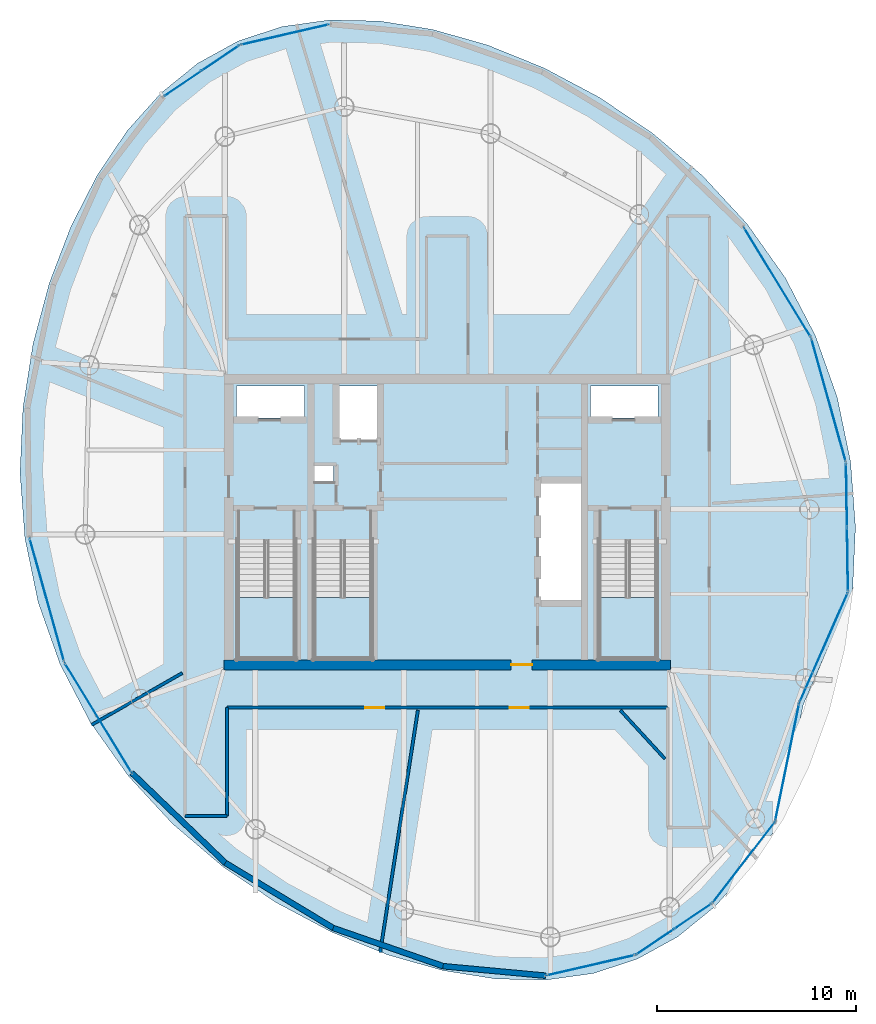
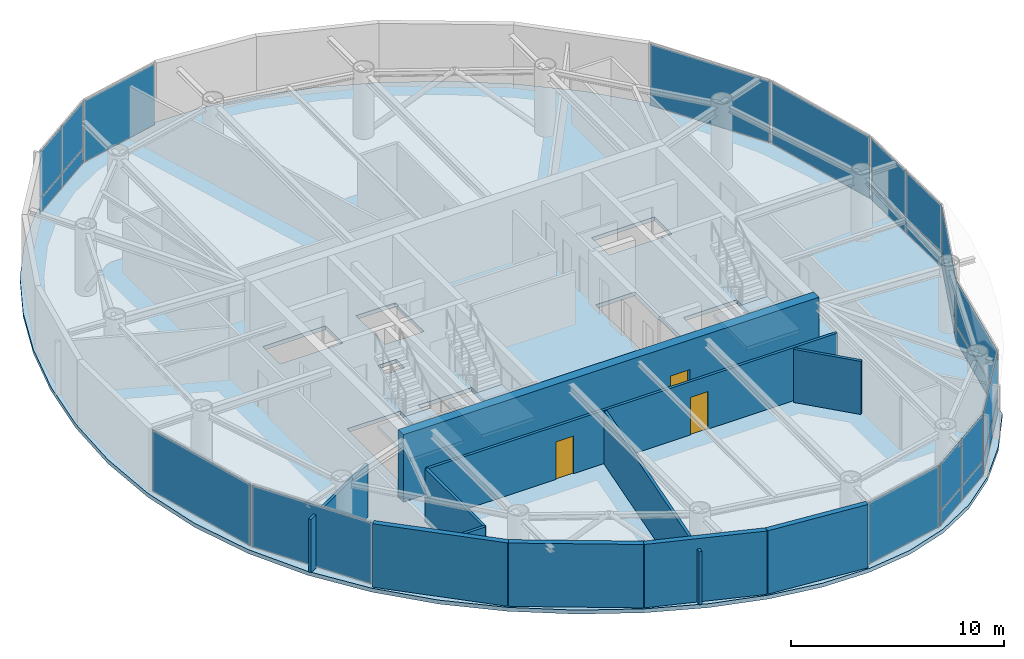
# One storey, part 14 of 19: 24 plates, 11 walls, 4 slabs, 3 doors, 3 openings, 15 elements without a shape of their own.
"""IFC4 building model written with IfcOpenShell, lengths in metres."""

from ifc_helpers import new_model, si_unit, direction, frame, frame_2d, origin, origin_2d, place, context, subcontext, project, spatial, polyline, rectangle, outline, extrude, material, layer, layer_set, type_object, element, fill, aggregate, save


model = new_model("IFC4")

# Units and contexts
model_context = context("Model", 3, precision=1e-05, world=origin(), true_north=direction((0.0, 1.0)))
body_context = subcontext(model_context, "Body", "Model", "MODEL_VIEW")
ifc_project = project(units=[si_unit("LENGTHUNIT", "METRE"), si_unit("AREAUNIT", "SQUARE_METRE"), si_unit("VOLUMEUNIT", "CUBIC_METRE"), si_unit("PLANEANGLEUNIT", "RADIAN"), si_unit("MASSUNIT", "GRAM", prefix="KILO")], contexts=[model_context])

# Site, building, storey
site_placement = place(None, origin())
site = spatial("IfcSite", under=ifc_project, at=site_placement, CompositionType="ELEMENT")
building_placement = place(site_placement, origin())
building = spatial("IfcBuilding", under=site, at=building_placement, Name="Bramvorn Convention Spire", CompositionType="ELEMENT")
storey_placement = place(building_placement, frame((0.0, 0.0, 299.800048828125)))
storey = spatial("IfcBuildingStorey", under=building, at=storey_placement, Name="L76", CompositionType="ELEMENT", Elevation=299.800048828125)

# Curtain wall, plates
ifc_material_1 = material(Name="Anodised Bronze Unitised Curtain Wall", Category="aluminium")
ifc_layer_1 = layer(ifc_material_1, 0.179931640625)
ifc_layer_set_1 = layer_set([ifc_layer_1], Name="Anodised Bronze Unitised Curtain Wall - CW-OFF-FRIT")
curtain_wall_type_1 = type_object("IfcCurtainWallType", Name="CW-OFF-FRIT", PredefinedType="USERDEFINED", material=ifc_layer_set_1)
curtain_wall_1_placement = place(storey_placement, origin())
curtain_wall_1 = element("IfcCurtainWall", 1, at=curtain_wall_1_placement, inside=storey, type_object=curtain_wall_type_1, Name="L76 fritted glass curtain wall 01", ObjectType="UNITISED CURTAIN WALL", PredefinedType="USERDEFINED")
ifc_material_2 = material(Name="Laminated Low-E Glass (Triple IGU High-VLT Low-Iron 22%)", Category="glass")
ifc_layer_2 = layer(ifc_material_2, 0.0419921875)
ifc_layer_set_2 = layer_set([ifc_layer_2], Name="Laminated Low-E Glass (Triple IGU High-VLT Low-Iron 22%) - PNL-IGU-4")
plate_type_1 = type_object("IfcPlateType", Name="PNL-IGU-4", PredefinedType="CURTAIN_PANEL", material=ifc_layer_set_2)
plate_1_placement = place(storey_placement, frame((50.35986328125, 6.13671875, 0.059814453125), z_axis=(0.0, 0.0, 1.0), x_axis=(-0.828583846411, -0.559864992179, 0.0)))
plate_1 = element("IfcPlate", 2, at=plate_1_placement, type_object=plate_type_1, Name="CW3 panel 1.1", PredefinedType="CURTAIN_PANEL", context=body_context, shape_type="SweptSolid", body=[
    extrude(rectangle(XDim=2.2353515625, YDim=0.028076171875, at=origin_2d()), origin(), (0.0, 0.0, 1.0), 0.81005859375),
])
plate_2_placement = place(storey_placement, frame((50.35986328125, 6.13671875, 0.93017578125), z_axis=(0.0, 0.0, 1.0), x_axis=(-0.828583846411, -0.559864992179, 0.0)))
plate_2 = element("IfcPlate", 3, at=plate_2_placement, type_object=plate_type_1, Name="CW3 panel 1.2", PredefinedType="CURTAIN_PANEL", context=body_context, shape_type="SweptSolid", body=[
    extrude(rectangle(XDim=2.2353515625, YDim=0.028076171875, at=origin_2d()), origin(), (0.0, 0.0, 1.0), 2.635009765625),
])
plate_3_placement = place(storey_placement, frame((48.4580078125, 4.8515625, 0.059814453125), z_axis=(0.0, 0.0, 1.0), x_axis=(-0.828583846411, -0.559864992179, 0.0)))
plate_3 = element("IfcPlate", 4, at=plate_3_placement, type_object=plate_type_1, Name="CW3 panel 2.1", PredefinedType="CURTAIN_PANEL", context=body_context, shape_type="SweptSolid", body=[
    extrude(rectangle(XDim=2.2353515625, YDim=0.028076171875, at=origin_2d()), origin(), (0.0, 0.0, 1.0), 0.81005859375),
])
plate_4_placement = place(storey_placement, frame((48.4580078125, 4.8515625, 0.93017578125), z_axis=(0.0, 0.0, 1.0), x_axis=(-0.828583846411, -0.559864992179, 0.0)))
plate_4 = element("IfcPlate", 5, at=plate_4_placement, type_object=plate_type_1, Name="CW3 panel 2.2", PredefinedType="CURTAIN_PANEL", context=body_context, shape_type="SweptSolid", body=[
    extrude(rectangle(XDim=2.2353515625, YDim=0.028076171875, at=origin_2d()), origin(), (0.0, 0.0, 1.0), 2.635009765625),
])
aggregate(curtain_wall_1, [plate_1, plate_2, plate_3, plate_4])

curtain_wall_2_placement = place(storey_placement, origin())
curtain_wall_2 = element("IfcCurtainWall", 6, at=curtain_wall_2_placement, inside=storey, type_object=curtain_wall_type_1, Name="L76 fritted glass curtain wall 05", ObjectType="UNITISED CURTAIN WALL", PredefinedType="USERDEFINED")
plate_5_placement = place(storey_placement, frame((58.102783203125, 27.342041015625, 0.059814453125), z_axis=(0.0, 0.0, 1.0), x_axis=(0.015568039844, -0.999878810724, 0.0)))
plate_5 = element("IfcPlate", 7, at=plate_5_placement, type_object=plate_type_1, Name="CW3 panel 1.1", PredefinedType="CURTAIN_PANEL", context=body_context, shape_type="SweptSolid", body=[
    extrude(rectangle(XDim=3.173095703125, YDim=0.028076171875, at=origin_2d()), origin(), (0.0, 0.0, 1.0), 0.81005859375),
])
plate_6_placement = place(storey_placement, frame((58.102783203125, 27.342041015625, 0.93017578125), z_axis=(0.0, 0.0, 1.0), x_axis=(0.015568039844, -0.999878810724, 0.0)))
plate_6 = element("IfcPlate", 8, at=plate_6_placement, type_object=plate_type_1, Name="CW3 panel 1.2", PredefinedType="CURTAIN_PANEL", context=body_context, shape_type="SweptSolid", body=[
    extrude(rectangle(XDim=3.173095703125, YDim=0.028076171875, at=origin_2d()), origin(), (0.0, 0.0, 1.0), 2.635009765625),
])
plate_7_placement = place(storey_placement, frame((58.153076171875, 24.109130859375, 0.059814453125), z_axis=(0.0, 0.0, 1.0), x_axis=(0.015568039844, -0.999878810724, 0.0)))
plate_7 = element("IfcPlate", 9, at=plate_7_placement, type_object=plate_type_1, Name="CW3 panel 2.1", PredefinedType="CURTAIN_PANEL", context=body_context, shape_type="SweptSolid", body=[
    extrude(rectangle(XDim=3.173095703125, YDim=0.028076171875, at=origin_2d()), origin(), (0.0, 0.0, 1.0), 0.81005859375),
])
plate_8_placement = place(storey_placement, frame((58.153076171875, 24.109130859375, 0.93017578125), z_axis=(0.0, 0.0, 1.0), x_axis=(0.015568039844, -0.999878810724, 0.0)))
plate_8 = element("IfcPlate", 10, at=plate_8_placement, type_object=plate_type_1, Name="CW3 panel 2.2", PredefinedType="CURTAIN_PANEL", context=body_context, shape_type="SweptSolid", body=[
    extrude(rectangle(XDim=3.173095703125, YDim=0.028076171875, at=origin_2d()), origin(), (0.0, 0.0, 1.0), 2.635009765625),
])
aggregate(curtain_wall_2, [plate_5, plate_6, plate_7, plate_8])

# Curtain wall, plate
curtain_wall_3_placement = place(storey_placement, origin())
curtain_wall_3 = element("IfcCurtainWall", 11, at=curtain_wall_3_placement, inside=storey, type_object=curtain_wall_type_1, Name="L76 fritted glass curtain wall 06", ObjectType="UNITISED CURTAIN WALL", PredefinedType="USERDEFINED")
plate_9_placement = place(storey_placement, frame((57.198486328125, 32.13134765625, 0.06005859375), z_axis=(0.0, 0.0, 1.0), x_axis=(0.269238917952, -0.963073416236, 0.0)))
plate_9 = element("IfcPlate", 12, at=plate_9_placement, type_object=plate_type_1, Name="CW3 panel 1.1", PredefinedType="CURTAIN_PANEL", context=body_context, shape_type="SweptSolid", body=[
    extrude(rectangle(XDim=6.406982421875, YDim=0.028076171875, at=origin_2d()), origin(), (0.0, 0.0, 1.0), 3.5048828125),
])
aggregate(curtain_wall_3, [plate_9])

curtain_wall_4_placement = place(storey_placement, origin())
curtain_wall_4 = element("IfcCurtainWall", 13, at=curtain_wall_4_placement, inside=storey, type_object=curtain_wall_type_1, Name="L76 fritted glass curtain wall 07", ObjectType="UNITISED CURTAIN WALL", PredefinedType="USERDEFINED")
plate_10_placement = place(storey_placement, frame((54.620361328125, 38.060302734375, 0.06005859375), z_axis=(0.0, 0.0, 1.0), x_axis=(0.520732179704, -0.8537200929, 0.0)))
plate_10 = element("IfcPlate", 14, at=plate_10_placement, type_object=plate_type_1, Name="CW3 panel 1.1", PredefinedType="CURTAIN_PANEL", context=body_context, shape_type="SweptSolid", body=[
    extrude(rectangle(XDim=6.406982421875, YDim=0.028076171875, at=origin_2d()), origin(), (0.0, 0.0, 1.0), 3.5048828125),
])
aggregate(curtain_wall_4, [plate_10])

curtain_wall_5_placement = place(storey_placement, origin())
curtain_wall_5 = element("IfcCurtainWall", 15, at=curtain_wall_5_placement, inside=storey, type_object=curtain_wall_type_1, Name="L76 fritted glass curtain wall 12", ObjectType="UNITISED CURTAIN WALL", PredefinedType="USERDEFINED")
plate_11_placement = place(storey_placement, frame((29.826904296875, 50.52978515625, 0.06005859375), z_axis=(0.0, 0.0, 1.0), x_axis=(0.974547154039, 0.224182614302, 0.0)))
plate_11 = element("IfcPlate", 16, at=plate_11_placement, type_object=plate_type_1, Name="CW3 panel 1.1", PredefinedType="CURTAIN_PANEL", context=body_context, shape_type="SweptSolid", body=[
    extrude(rectangle(XDim=4.53076171875, YDim=0.028076171875, at=origin_2d()), origin(), (0.0, 0.0, 1.0), 3.5048828125),
])
aggregate(curtain_wall_5, [plate_11])

# Curtain wall, plates
curtain_wall_6_placement = place(storey_placement, origin())
curtain_wall_6 = element("IfcCurtainWall", 17, at=curtain_wall_6_placement, inside=storey, type_object=curtain_wall_type_1, Name="L76 fritted glass curtain wall 13", ObjectType="UNITISED CURTAIN WALL", PredefinedType="USERDEFINED")
plate_12_placement = place(storey_placement, frame((24.68310546875, 48.064208984375, 0.059814453125), z_axis=(0.0, 0.0, 1.0), x_axis=(0.828593821375, 0.559850229239, 0.0)))
plate_12 = element("IfcPlate", 18, at=plate_12_placement, type_object=plate_type_1, Name="CW3 panel 1.1", PredefinedType="CURTAIN_PANEL", context=body_context, shape_type="SweptSolid", body=[
    extrude(rectangle(XDim=2.2353515625, YDim=0.028076171875, at=origin_2d()), origin(), (0.0, 0.0, 1.0), 0.81005859375),
])
plate_13_placement = place(storey_placement, frame((24.68310546875, 48.064208984375, 0.93017578125), z_axis=(0.0, 0.0, 1.0), x_axis=(0.828593821375, 0.559850229239, 0.0)))
plate_13 = element("IfcPlate", 19, at=plate_13_placement, type_object=plate_type_1, Name="CW3 panel 1.2", PredefinedType="CURTAIN_PANEL", context=body_context, shape_type="SweptSolid", body=[
    extrude(rectangle(XDim=2.2353515625, YDim=0.028076171875, at=origin_2d()), origin(), (0.0, 0.0, 1.0), 2.635009765625),
])
plate_14_placement = place(storey_placement, frame((26.5849609375, 49.349365234375, 0.059814453125), z_axis=(0.0, 0.0, 1.0), x_axis=(0.828593821375, 0.559850229239, 0.0)))
plate_14 = element("IfcPlate", 20, at=plate_14_placement, type_object=plate_type_1, Name="CW3 panel 2.1", PredefinedType="CURTAIN_PANEL", context=body_context, shape_type="SweptSolid", body=[
    extrude(rectangle(XDim=2.2353515625, YDim=0.028076171875, at=origin_2d()), origin(), (0.0, 0.0, 1.0), 0.81005859375),
])
plate_15_placement = place(storey_placement, frame((26.5849609375, 49.349365234375, 0.93017578125), z_axis=(0.0, 0.0, 1.0), x_axis=(0.828593821375, 0.559850229239, 0.0)))
plate_15 = element("IfcPlate", 21, at=plate_15_placement, type_object=plate_type_1, Name="CW3 panel 2.2", PredefinedType="CURTAIN_PANEL", context=body_context, shape_type="SweptSolid", body=[
    extrude(rectangle(XDim=2.2353515625, YDim=0.028076171875, at=origin_2d()), origin(), (0.0, 0.0, 1.0), 2.635009765625),
])
aggregate(curtain_wall_6, [plate_12, plate_13, plate_14, plate_15])

# Curtain wall, plate
curtain_wall_7_placement = place(storey_placement, origin())
curtain_wall_7 = element("IfcCurtainWall", 22, at=curtain_wall_7_placement, inside=storey, type_object=curtain_wall_type_1, Name="L76 fritted glass curtain wall 18", ObjectType="UNITISED CURTAIN WALL", PredefinedType="USERDEFINED")
plate_16_placement = place(storey_placement, frame((17.844482421875, 22.06982421875, 0.06005859375), z_axis=(0.0, 0.0, 1.0), x_axis=(-0.269238917952, 0.963073416236, 0.0)))
plate_16 = element("IfcPlate", 23, at=plate_16_placement, type_object=plate_type_1, Name="CW3 panel 1.1", PredefinedType="CURTAIN_PANEL", context=body_context, shape_type="SweptSolid", body=[
    extrude(rectangle(XDim=6.406982421875, YDim=0.028076171875, at=origin_2d()), origin(), (0.0, 0.0, 1.0), 3.5048828125),
])
aggregate(curtain_wall_7, [plate_16])

curtain_wall_8_placement = place(storey_placement, origin())
curtain_wall_8 = element("IfcCurtainWall", 24, at=curtain_wall_8_placement, inside=storey, type_object=curtain_wall_type_1, Name="L76 fritted glass curtain wall 19", ObjectType="UNITISED CURTAIN WALL", PredefinedType="USERDEFINED")
plate_17_placement = place(storey_placement, frame((20.422607421875, 16.140625, 0.06005859375), z_axis=(0.0, 0.0, 1.0), x_axis=(-0.520732179704, 0.8537200929, 0.0)))
plate_17 = element("IfcPlate", 25, at=plate_17_placement, type_object=plate_type_1, Name="CW3 panel 1.1", PredefinedType="CURTAIN_PANEL", context=body_context, shape_type="SweptSolid", body=[
    extrude(rectangle(XDim=6.406982421875, YDim=0.028076171875, at=origin_2d()), origin(), (0.0, 0.0, 1.0), 3.5048828125),
])
aggregate(curtain_wall_8, [plate_17])

curtain_wall_9_placement = place(storey_placement, origin())
curtain_wall_9 = element("IfcCurtainWall", 26, at=curtain_wall_9_placement, inside=storey, type_object=curtain_wall_type_1, Name="L76 fritted glass curtain wall 24", ObjectType="UNITISED CURTAIN WALL", PredefinedType="USERDEFINED")
plate_18_placement = place(storey_placement, frame((45.216064453125, 3.671142578125, 0.06005859375), z_axis=(0.0, 0.0, 1.0), x_axis=(-0.974551851587, -0.22416219255, 0.0)))
plate_18 = element("IfcPlate", 27, at=plate_18_placement, type_object=plate_type_1, Name="CW3 panel 1.1", PredefinedType="CURTAIN_PANEL", context=body_context, shape_type="SweptSolid", body=[
    extrude(rectangle(XDim=4.53076171875, YDim=0.028076171875, at=origin_2d()), origin(), (0.0, 0.0, 1.0), 3.5048828125),
])
aggregate(curtain_wall_9, [plate_18])

# Curtain wall, plates
ifc_layer_3 = layer(ifc_material_1, 0.219970703125)
ifc_layer_set_3 = layer_set([ifc_layer_3], Name="Anodised Bronze Unitised Curtain Wall - CW-SKYGARDEN")
curtain_wall_type_2 = type_object("IfcCurtainWallType", Name="CW-SKYGARDEN", PredefinedType="USERDEFINED", material=ifc_layer_set_3)
curtain_wall_10_placement = place(storey_placement, origin())
curtain_wall_10 = element("IfcCurtainWall", 28, at=curtain_wall_10_placement, inside=storey, type_object=curtain_wall_type_2, Name="L76 Sky Garden glazed facade 02", ObjectType="WINTER GARDEN GLAZING", PredefinedType="USERDEFINED")
ifc_material_3 = material(Name="Laminated Low-E Glass (Acoustic Laminated Podium Triple IGU)", Category="glass")
ifc_layer_4 = layer(ifc_material_3, 0.0458984375)
ifc_layer_set_4 = layer_set([ifc_layer_4], Name="Laminated Low-E Glass (Acoustic Laminated Podium Triple IGU) - PNL-IGU-5")
plate_type_2 = type_object("IfcPlateType", Name="PNL-IGU-5", PredefinedType="CURTAIN_PANEL", material=ifc_layer_set_4)
plate_19_placement = place(storey_placement, frame((52.919189453125, 8.84521484375, 0.06005859375), z_axis=(0.0, 0.0, 1.0), x_axis=(-0.611448600108, -0.791284152139, 0.0)))
plate_19 = element("IfcPlate", 29, at=plate_19_placement, type_object=plate_type_2, Name="CW4 panel 1.1", PredefinedType="CURTAIN_PANEL", context=body_context, shape_type="SweptSolid", body=[
    extrude(rectangle(XDim=5.05908203125, YDim=0.028076171875, at=origin_2d()), origin(), (0.0, 0.0, 1.0), 0.909912109375),
])
plate_20_placement = place(storey_placement, frame((52.919189453125, 8.84521484375, 1.02978515625), z_axis=(0.0, 0.0, 1.0), x_axis=(-0.611448600108, -0.791284152139, 0.0)))
plate_20 = element("IfcPlate", 30, at=plate_20_placement, type_object=plate_type_2, Name="CW4 panel 1.2", PredefinedType="CURTAIN_PANEL", context=body_context, shape_type="SweptSolid", body=[
    extrude(rectangle(XDim=5.05908203125, YDim=0.028076171875, at=origin_2d()), origin(), (0.0, 0.0, 1.0), 2.534912109375),
])
aggregate(curtain_wall_10, [plate_19, plate_20])

curtain_wall_11_placement = place(storey_placement, origin())
curtain_wall_11 = element("IfcCurtainWall", 31, at=curtain_wall_11_placement, inside=storey, type_object=curtain_wall_type_2, Name="L76 Sky Garden glazed facade 03", ObjectType="WINTER GARDEN GLAZING", PredefinedType="USERDEFINED")
plate_21_placement = place(storey_placement, frame((55.115234375, 13.89453125, 0.06005859375), z_axis=(0.0, 0.0, 1.0), x_axis=(-0.200105236988, -0.979774409816, 0.0)))
plate_21 = element("IfcPlate", 32, at=plate_21_placement, type_object=plate_type_2, Name="CW4 panel 1.1", PredefinedType="CURTAIN_PANEL", context=body_context, shape_type="SweptSolid", body=[
    extrude(rectangle(XDim=6.0048828125, YDim=0.028076171875, at=origin_2d()), origin(), (0.0, 0.0, 1.0), 0.909912109375),
])
plate_22_placement = place(storey_placement, frame((55.115234375, 13.89453125, 1.02978515625), z_axis=(0.0, 0.0, 1.0), x_axis=(-0.200105236988, -0.979774409816, 0.0)))
plate_22 = element("IfcPlate", 33, at=plate_22_placement, type_object=plate_type_2, Name="CW4 panel 1.2", PredefinedType="CURTAIN_PANEL", context=body_context, shape_type="SweptSolid", body=[
    extrude(rectangle(XDim=6.0048828125, YDim=0.028076171875, at=origin_2d()), origin(), (0.0, 0.0, 1.0), 2.534912109375),
])
aggregate(curtain_wall_11, [plate_21, plate_22])

curtain_wall_12_placement = place(storey_placement, origin())
curtain_wall_12 = element("IfcCurtainWall", 34, at=curtain_wall_12_placement, inside=storey, type_object=curtain_wall_type_2, Name="L76 Sky Garden glazed facade 04", ObjectType="WINTER GARDEN GLAZING", PredefinedType="USERDEFINED")
plate_23_placement = place(storey_placement, frame((56.953369140625, 19.678955078125, 0.06005859375), z_axis=(0.0, 0.0, 1.0), x_axis=(-0.402844382744, -0.915268486998, 0.0)))
plate_23 = element("IfcPlate", 35, at=plate_23_placement, type_object=plate_type_2, Name="CW4 panel 1.1", PredefinedType="CURTAIN_PANEL", context=body_context, shape_type="SweptSolid", body=[
    extrude(rectangle(XDim=5.963134765625, YDim=0.028076171875, at=origin_2d()), origin(), (0.0, 0.0, 1.0), 0.909912109375),
])
plate_24_placement = place(storey_placement, frame((56.953369140625, 19.678955078125, 1.02978515625), z_axis=(0.0, 0.0, 1.0), x_axis=(-0.402844382744, -0.915268486998, 0.0)))
plate_24 = element("IfcPlate", 36, at=plate_24_placement, type_object=plate_type_2, Name="CW4 panel 1.2", PredefinedType="CURTAIN_PANEL", context=body_context, shape_type="SweptSolid", body=[
    extrude(rectangle(XDim=5.963134765625, YDim=0.028076171875, at=origin_2d()), origin(), (0.0, 0.0, 1.0), 2.534912109375),
])
aggregate(curtain_wall_12, [plate_23, plate_24])

# Stair, slab
ifc_material_4 = material(Name="Concrete C40/50 Precast Stair", Category="concrete")
stair_type = type_object("IfcStairType", Name="ST-TOWER-1550", PredefinedType="HALF_TURN_STAIR", material=ifc_material_4)
stair_1_placement = place(storey_placement, origin())
stair_1 = element("IfcStair", 37, at=stair_1_placement, inside=storey, type_object=stair_type, Name="L76 Protected Exit Stair ST1", PredefinedType="HALF_TURN_STAIR")
ifc_material_5 = material(Name="Concrete C40/50 Stair Landing", Category="concrete")
ifc_layer_5 = layer(ifc_material_5, 0.219970703125)
ifc_layer_set_5 = layer_set([ifc_layer_5], Name="Concrete C40/50 Stair Landing - SLB-STAIR-LANDING")
slab_type_1 = type_object("IfcSlabType", Name="SLB-STAIR-LANDING", PredefinedType="LANDING", material=ifc_layer_set_5)
slab_1_placement = place(storey_placement, frame((0.0, 0.0, 1.724853515625)))
slab_1 = element("IfcSlab", 38, at=slab_1_placement, type_object=slab_type_1, Name="ST1 landing 1", PredefinedType="LANDING", context=body_context, shape_type="SweptSolid", body=[
    extrude(outline(polyline([(27.449951171875, 22.199951171875), (27.449951171875, 19.10009765625), (30.35009765625, 19.10009765625), (30.35009765625, 22.199951171875), (27.449951171875, 22.199951171875)])), origin(), (0.0, 0.0, 1.0), 0.2001953125),
])
aggregate(stair_1, [slab_1])

stair_2_placement = place(storey_placement, origin())
stair_2 = element("IfcStair", 39, at=stair_2_placement, inside=storey, type_object=stair_type, Name="L76 Protected Exit Stair ST2", PredefinedType="HALF_TURN_STAIR")
slab_2_placement = place(storey_placement, frame((0.0, 0.0, 1.724853515625)))
slab_2 = element("IfcSlab", 40, at=slab_2_placement, type_object=slab_type_1, Name="ST2 landing 1", PredefinedType="LANDING", context=body_context, shape_type="SweptSolid", body=[
    extrude(outline(polyline([(45.64990234375, 22.199951171875), (45.64990234375, 19.10009765625), (48.550048828125, 19.10009765625), (48.550048828125, 22.199951171875), (45.64990234375, 22.199951171875)])), origin(), (0.0, 0.0, 1.0), 0.2001953125),
])
aggregate(stair_2, [slab_2])

stair_3_placement = place(storey_placement, origin())
stair_3 = element("IfcStair", 41, at=stair_3_placement, inside=storey, type_object=stair_type, Name="L76 Protected Exit Stair ST3", PredefinedType="HALF_TURN_STAIR")
slab_3_placement = place(storey_placement, frame((0.0, 0.0, 1.724853515625)))
slab_3 = element("IfcSlab", 42, at=slab_3_placement, type_object=slab_type_1, Name="ST3 landing 1", PredefinedType="LANDING", context=body_context, shape_type="SweptSolid", body=[
    extrude(outline(polyline([(31.300048828125, 22.199951171875), (31.300048828125, 19.10009765625), (34.199951171875, 19.10009765625), (34.199951171875, 22.199951171875), (31.300048828125, 22.199951171875)])), origin(), (0.0, 0.0, 1.0), 0.2001953125),
])
aggregate(stair_3, [slab_3])

# Slab
ifc_material_6 = material(Name="Concrete C40/50", Category="concrete")
ifc_layer_6 = layer(ifc_material_6, 0.22509765625)
ifc_layer_set_6 = layer_set([ifc_layer_6], Name="Concrete C40/50 - SLB-Z4-225")
slab_type_2 = type_object("IfcSlabType", Name="SLB-Z4-225", PredefinedType="FLOOR", material=ifc_layer_set_6)
slab_4_placement = place(storey_placement, frame((0.0, 0.0, -0.22509765625)))
element("IfcSlab", 43, at=slab_4_placement, inside=storey, type_object=slab_type_2, Name="L76 tower floor slab", PredefinedType="FLOOR", context=body_context, shape_type="SweptSolid", body=[
    extrude(outline(polyline([(47.570068359375, 3.990478515625), (49.604736328125, 5.1103515625), (51.468994140625, 6.622314453125), (53.162109375, 8.513916015625), (54.67529296875, 10.76171875), (55.281982421875, 13.8583984375), (55.93212890625, 16.812744140625), (57.115478515625, 19.533447265625), (58.404296875, 22.44091796875), (58.554443359375, 25.72998046875), (58.30810546875, 29.026611328125), (57.638916015625, 32.260986328125), (56.53759765625, 35.368896484375), (55.015869140625, 38.2939453125), (53.106689453125, 40.9892578125), (50.863525390625, 43.41748046875), (48.355712890625, 45.55078125), (45.66259765625, 47.36865234375), (42.86669921875, 48.855224609375), (40.04638671875, 49.9990234375), (37.27099609375, 50.7890625), (34.594970703125, 51.21533203125), (32.056884765625, 51.26708984375), (29.6796875, 50.934814453125), (27.472900390625, 50.21044921875), (25.438232421875, 49.090576171875), (23.573974609375, 47.57861328125), (21.881103515625, 45.687255859375), (20.36767578125, 43.439453125), (19.052490234375, 40.87060546875), (17.9658203125, 38.028076171875), (17.14599609375, 34.96923828125), (16.638671875, 31.760009765625), (16.488525390625, 28.470947265625), (16.73486328125, 25.17431640625), (17.404052734375, 21.93994140625), (18.50537109375, 18.83203125), (20.027099609375, 15.906982421875), (21.936279296875, 13.211669921875), (24.179443359375, 10.783447265625), (26.687255859375, 8.64990234375), (29.38037109375, 6.83251953125), (32.176513671875, 5.345703125), (34.99658203125, 4.201904296875), (37.772216796875, 3.411865234375), (40.447998046875, 2.985595703125), (42.986083984375, 2.933837890625), (45.36328125, 3.26611328125), (47.570068359375, 3.990478515625)]), holes=[polyline([(27.449951171875, 25.050048828125), (27.449951171875, 19.10009765625), (30.35009765625, 19.10009765625), (30.35009765625, 25.050048828125), (27.449951171875, 25.050048828125)]), polyline([(45.64990234375, 25.050048828125), (45.64990234375, 19.10009765625), (48.550048828125, 19.10009765625), (48.550048828125, 25.050048828125), (45.64990234375, 25.050048828125)]), polyline([(31.300048828125, 25.050048828125), (31.300048828125, 19.10009765625), (34.199951171875, 19.10009765625), (34.199951171875, 25.050048828125), (31.300048828125, 25.050048828125)]), polyline([(27.39990234375, 31.219970703125), (30.800048828125, 31.219970703125), (30.800048828125, 32.85009765625), (27.39990234375, 32.85009765625), (27.39990234375, 31.219970703125)]), polyline([(45.199951171875, 31.219970703125), (48.60009765625, 31.219970703125), (48.60009765625, 32.85009765625), (45.199951171875, 32.85009765625), (45.199951171875, 31.219970703125)]), polyline([(32.449951171875, 30.14990234375), (34.56005859375, 30.14990234375), (34.56005859375, 32.85009765625), (32.449951171875, 32.85009765625), (32.449951171875, 30.14990234375)]), polyline([(42.6201171875, 22.0), (44.75, 22.0), (44.75, 28.0), (42.6201171875, 28.0), (42.6201171875, 22.0)]), polyline([(31.320068359375, 28.02001953125), (32.280029296875, 28.02001953125), (32.280029296875, 28.820068359375), (31.320068359375, 28.820068359375), (31.320068359375, 28.02001953125)])]), origin(), (0.0, 0.0, 1.0), 0.22509765625),
])

# Wall, opening, door
ifc_material_7 = material(Name="Concrete C50/60", Category="concrete")
ifc_layer_7 = layer(ifc_material_7, 0.5)
ifc_layer_set_7 = layer_set([ifc_layer_7], Name="Concrete C50/60 - WL-CORE-500")
wall_type_1 = type_object("IfcWallType", Name="WL-CORE-500", PredefinedType="SHEAR", material=ifc_layer_set_7)
wall_1_placement = place(storey_placement, frame((26.75, 18.800048828125, 0.0), z_axis=(0.0, 0.0, 1.0), x_axis=(1.0, 0.0, 0.0)))
wall_1 = element("IfcWall", 44, at=wall_1_placement, inside=storey, type_object=wall_type_1, Name="L76 South RC core shear wall", PredefinedType="SHEAR", context=body_context, shape_type="SweptSolid", body=[
    extrude(rectangle(XDim=22.5, YDim=0.5, at=frame_2d((11.25, 0.0))), origin(), (0.0, 0.0, 1.0), 3.849853515625),
])
opening_1_placement = place(wall_1_placement, frame((14.469970703125, 0.0, 0.0)))
opening_1 = element("IfcOpeningElement", 45, at=opening_1_placement, cuts=wall_1, Name="Opening DL-105", PredefinedType="OPENING", context=body_context, shape_type="SweptSolid", body=[
    extrude(rectangle(XDim=1.050048828125, YDim=2.14990234375, at=frame_2d((0.52490234375, 1.074951171875))), frame((0.0, 0.260009765625, 0.0), z_axis=(0.0, -1.0, 0.0), x_axis=(1.0, 0.0, 0.0)), (0.0, 0.0, 1.0), 0.52001953125),
])
ifc_material_8 = material(Name="Smoke-Sealed Fire Lobby Timber-Core Door", Category="wood")
door_type_1 = type_object("IfcDoorType", Name="DR-LOBBY-1050", OperationType="NOTDEFINED", PredefinedType="DOOR", material=ifc_material_8)
door_1_placement = place(opening_1_placement, origin())
door_1 = element("IfcDoor", 46, at=door_1_placement, inside=storey, type_object=door_type_1, Name="L76 South Lift Lobby fire door", OperationType="SINGLE_SWING_RIGHT", OverallHeight=2.14990234375, OverallWidth=1.050048828125, PredefinedType="DOOR", context=body_context, shape_type="SweptSolid", body=[
    extrude(rectangle(XDim=1.050048828125, YDim=2.14990234375, at=frame_2d((0.52490234375, 1.074951171875))), frame((0.0, 0.02490234375, 0.0), z_axis=(0.0, -1.0, 0.0), x_axis=(1.0, 0.0, 0.0)), (0.0, 0.0, 1.0), 0.050048828125),
])
fill(opening_1, door_1)

# Walls
ifc_material_9 = material(Name="Precast Concrete C40/50 with Bronze Terracotta Rainscreen", Category="masonry")
ifc_layer_8 = layer(ifc_material_9, 0.300048828125)
ifc_layer_set_8 = layer_set([ifc_layer_8], Name="Precast Concrete C40/50 with Bronze Terracotta Rainscreen - WL-EXT-BRONZE-300")
wall_type_2 = type_object("IfcWallType", Name="WL-EXT-BRONZE-300", PredefinedType="SOLIDWALL", material=ifc_layer_set_8)
wall_2_placement = place(storey_placement, frame((26.8251953125, 8.829833984375, 0.0), z_axis=(0.0, 0.0, 1.0), x_axis=(-0.720647575414, 0.693301573668, 0.0)))
element("IfcWall", 47, at=wall_2_placement, inside=storey, type_object=wall_type_2, Name="L76 expressed bronze Gothic lancet pier wall 20", PredefinedType="SOLIDWALL", context=body_context, shape_type="SweptSolid", body=[
    extrude(rectangle(XDim=6.5263671875, YDim=0.280029296875, at=frame_2d((3.26318359375, 0.0))), origin(), (0.0, 0.0, 1.0), 3.625),
])
wall_3_placement = place(storey_placement, frame((32.257080078125, 5.55029296875, 0.0), z_axis=(0.0, 0.0, 1.0), x_axis=(-0.856070548503, 0.516858990428, 0.0)))
element("IfcWall", 48, at=wall_3_placement, inside=storey, type_object=wall_type_2, Name="L76 expressed bronze Gothic lancet pier wall 21", PredefinedType="SOLIDWALL", context=body_context, shape_type="SweptSolid", body=[
    extrude(rectangle(XDim=6.34521484375, YDim=0.280029296875, at=frame_2d((3.172607421875, 0.0))), origin(), (0.0, 0.0, 1.0), 3.625),
])
wall_4_placement = place(storey_placement, frame((37.79296875, 3.628662109375, 0.0), z_axis=(0.0, 0.0, 1.0), x_axis=(-0.944702886808, 0.327927515857, 0.0)))
element("IfcWall", 49, at=wall_4_placement, inside=storey, type_object=wall_type_2, Name="L76 expressed bronze Gothic lancet pier wall 22", PredefinedType="SOLIDWALL", context=body_context, shape_type="SweptSolid", body=[
    extrude(rectangle(XDim=5.85986328125, YDim=0.280029296875, at=frame_2d((2.929931640625, 0.0))), origin(), (0.0, 0.0, 1.0), 3.625),
])
wall_5_placement = place(storey_placement, frame((42.949951171875, 3.14990234375, 0.0), z_axis=(0.0, 0.0, 1.0), x_axis=(-0.995718285379, 0.092439689326, 0.0)))
element("IfcWall", 50, at=wall_5_placement, inside=storey, type_object=wall_type_2, Name="L76 expressed bronze Gothic lancet pier wall 23", PredefinedType="SOLIDWALL", context=body_context, shape_type="SweptSolid", body=[
    extrude(rectangle(XDim=5.17919921875, YDim=0.280029296875, at=frame_2d((2.589599609375, 0.0))), origin(), (0.0, 0.0, 1.0), 3.625),
])

# Wall, openings, doors
ifc_material_10 = material(Name="Acoustic Metal-Stud Tenant/Corridor Partition", Category="gypsum")
ifc_layer_9 = layer(ifc_material_10, 0.14990234375)
ifc_layer_set_9 = layer_set([ifc_layer_9], Name="Acoustic Metal-Stud Tenant/Corridor Partition - WL-PART-150")
wall_type_3 = type_object("IfcWallType", Name="WL-PART-150", PredefinedType="PARTITIONING", material=ifc_layer_set_9)
wall_6_placement = place(storey_placement, frame((26.89990234375, 16.64990234375, 0.0), z_axis=(0.0, 0.0, 1.0), x_axis=(1.0, 0.0, 0.0)))
wall_6 = element("IfcWall", 51, at=wall_6_placement, inside=storey, type_object=wall_type_3, Name="L76 South H-crossbar wall", PredefinedType="PARTITIONING", context=body_context, shape_type="SweptSolid", body=[
    extrude(rectangle(XDim=22.2001953125, YDim=0.14990234375, at=frame_2d((11.10009765625, 0.0))), origin(), (0.0, 0.0, 1.0), 3.0400390625),
])
opening_2_placement = place(wall_6_placement, frame((6.96533203125, 0.0, 0.0)))
opening_2 = element("IfcOpeningElement", 52, at=opening_2_placement, cuts=wall_6, Name="Opening DH-095", PredefinedType="OPENING", context=body_context, shape_type="SweptSolid", body=[
    extrude(rectangle(XDim=0.949951171875, YDim=2.14990234375, at=frame_2d((0.47509765625, 1.074951171875))), frame((0.0, 0.0849609375, 0.0), z_axis=(0.0, -1.0, 0.0), x_axis=(1.0, 0.0, 0.0)), (0.0, 0.0, 1.0), 0.169921875),
])
opening_3_placement = place(wall_6_placement, frame((14.250732421875, 0.0, 0.0)))
opening_3 = element("IfcOpeningElement", 53, at=opening_3_placement, cuts=wall_6, Name="Opening DH-095", PredefinedType="OPENING", context=body_context, shape_type="SweptSolid", body=[
    extrude(rectangle(XDim=0.949951171875, YDim=2.14990234375, at=frame_2d((0.47509765625, 1.074951171875))), frame((0.0, 0.0849609375, 0.0), z_axis=(0.0, -1.0, 0.0), x_axis=(1.0, 0.0, 0.0)), (0.0, 0.0, 1.0), 0.169921875),
])
ifc_material_11 = material(Name="Solid-Core Acoustic Guestroom Entry Door", Category="wood")
door_type_2 = type_object("IfcDoorType", Name="DR-HOTEL-950", OperationType="NOTDEFINED", PredefinedType="DOOR", material=ifc_material_11)
door_2_placement = place(opening_2_placement, origin())
door_2 = element("IfcDoor", 54, at=door_2_placement, inside=storey, type_object=door_type_2, Name="L76 Sommelier Wine Cellar Store 5 door", OperationType="SINGLE_SWING_RIGHT", OverallHeight=2.14990234375, OverallWidth=0.949951171875, PredefinedType="DOOR", context=body_context, shape_type="SweptSolid", body=[
    extrude(rectangle(XDim=0.949951171875, YDim=2.14990234375, at=frame_2d((0.47509765625, 1.074951171875))), frame((0.0, 0.02490234375, 0.0), z_axis=(0.0, -1.0, 0.0), x_axis=(1.0, 0.0, 0.0)), (0.0, 0.0, 1.0), 0.050048828125),
])
fill(opening_2, door_2)
door_3_placement = place(opening_3_placement, origin())
door_3 = element("IfcDoor", 55, at=door_3_placement, inside=storey, type_object=door_type_2, Name="L76 Private Event Meeting Suite 6 door", OperationType="SINGLE_SWING_RIGHT", OverallHeight=2.14990234375, OverallWidth=0.949951171875, PredefinedType="DOOR", context=body_context, shape_type="SweptSolid", body=[
    extrude(rectangle(XDim=0.949951171875, YDim=2.14990234375, at=frame_2d((0.47509765625, 1.074951171875))), frame((0.0, 0.02490234375, 0.0), z_axis=(0.0, -1.0, 0.0), x_axis=(1.0, 0.0, 0.0)), (0.0, 0.0, 1.0), 0.050048828125),
])
fill(opening_3, door_3)

# Walls
wall_7_placement = place(storey_placement, frame((26.89990234375, 11.185791015625, 0.0), z_axis=(0.0, 0.0, 1.0), x_axis=(0.0, 1.0, 0.0)))
element("IfcWall", 56, at=wall_7_placement, inside=storey, type_object=wall_type_3, Name="L76 West gallery SE wall", PredefinedType="PARTITIONING", context=body_context, shape_type="SweptSolid", body=[
    extrude(rectangle(XDim=5.464111328125, YDim=0.14990234375, at=frame_2d((2.73193359375, 0.0))), origin(), (0.0, 0.0, 1.0), 3.0400390625),
])
wall_8_placement = place(storey_placement, frame((24.800048828125, 11.185791015625, 0.0), z_axis=(0.0, 0.0, 1.0), x_axis=(1.0, 0.0, 0.0)))
element("IfcWall", 57, at=wall_8_placement, inside=storey, type_object=wall_type_3, Name="L76 West gallery south end", PredefinedType="PARTITIONING", context=body_context, shape_type="SweptSolid", body=[
    extrude(rectangle(XDim=2.099853515625, YDim=0.14990234375, at=frame_2d((1.0498046875, 0.0))), origin(), (0.0, 0.0, 1.0), 3.0400390625),
])
wall_9_placement = place(storey_placement, frame((24.659912109375, 18.38671875, 0.0), z_axis=(0.0, 0.0, 1.0), x_axis=(-0.868499553792, -0.495689948519, 0.0)))
element("IfcWall", 58, at=wall_9_placement, inside=storey, type_object=wall_type_3, Name="L76 Tenant suite partition 5", PredefinedType="PARTITIONING", context=body_context, shape_type="SweptSolid", body=[
    extrude(rectangle(XDim=5.27099609375, YDim=0.14990234375, at=frame_2d((2.635498046875, 0.0))), origin(), (0.0, 0.0, 1.0), 3.0400390625),
])
wall_10_placement = place(storey_placement, frame((36.521240234375, 16.510009765625, 0.0), z_axis=(0.0, 0.0, 1.0), x_axis=(-0.153984417471, -0.988073276218, 0.0)))
element("IfcWall", 59, at=wall_10_placement, inside=storey, type_object=wall_type_3, Name="L76 Tenant suite partition 6", PredefinedType="PARTITIONING", context=body_context, shape_type="SweptSolid", body=[
    extrude(rectangle(XDim=12.335205078125, YDim=0.14990234375, at=frame_2d((6.16748046875, 0.0))), origin(), (0.0, 0.0, 1.0), 3.0400390625),
])
wall_11_placement = place(storey_placement, frame((46.7177734375, 16.510009765625, 0.0), z_axis=(0.0, 0.0, 1.0), x_axis=(0.676491436153, -0.736450498548, 0.0)))
element("IfcWall", 60, at=wall_11_placement, inside=storey, type_object=wall_type_3, Name="L76 Tenant suite partition 7", PredefinedType="PARTITIONING", context=body_context, shape_type="SweptSolid", body=[
    extrude(rectangle(XDim=3.314453125, YDim=0.14990234375, at=frame_2d((1.6572265625, 0.0))), origin(), (0.0, 0.0, 1.0), 3.0400390625),
])

save(model, "model.ifc")
